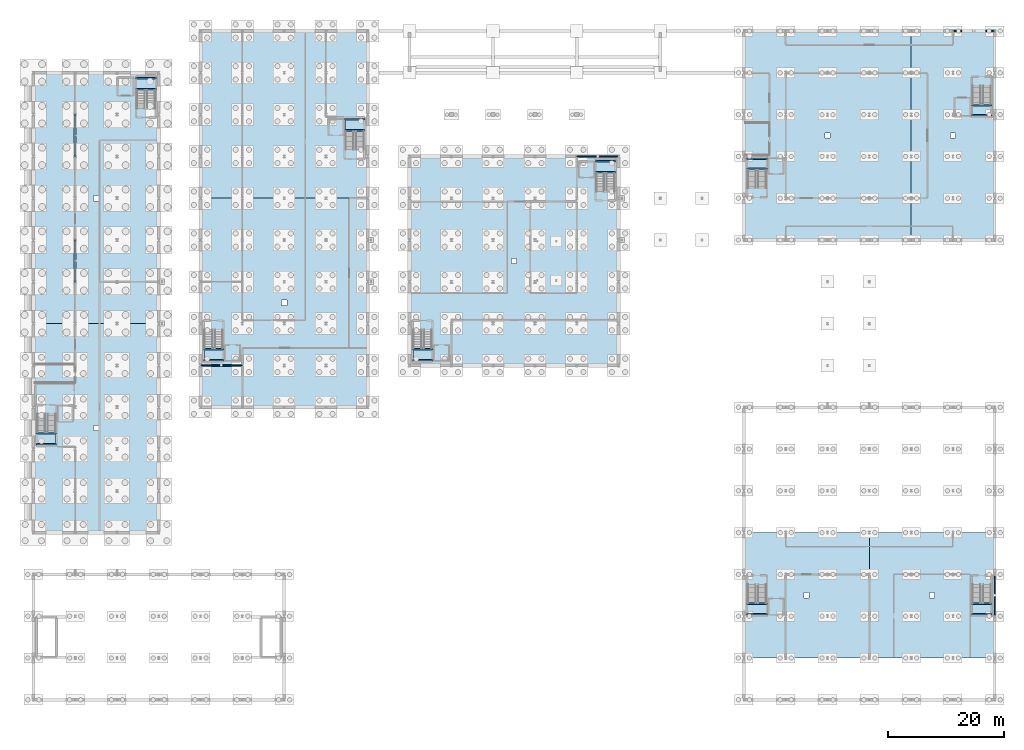
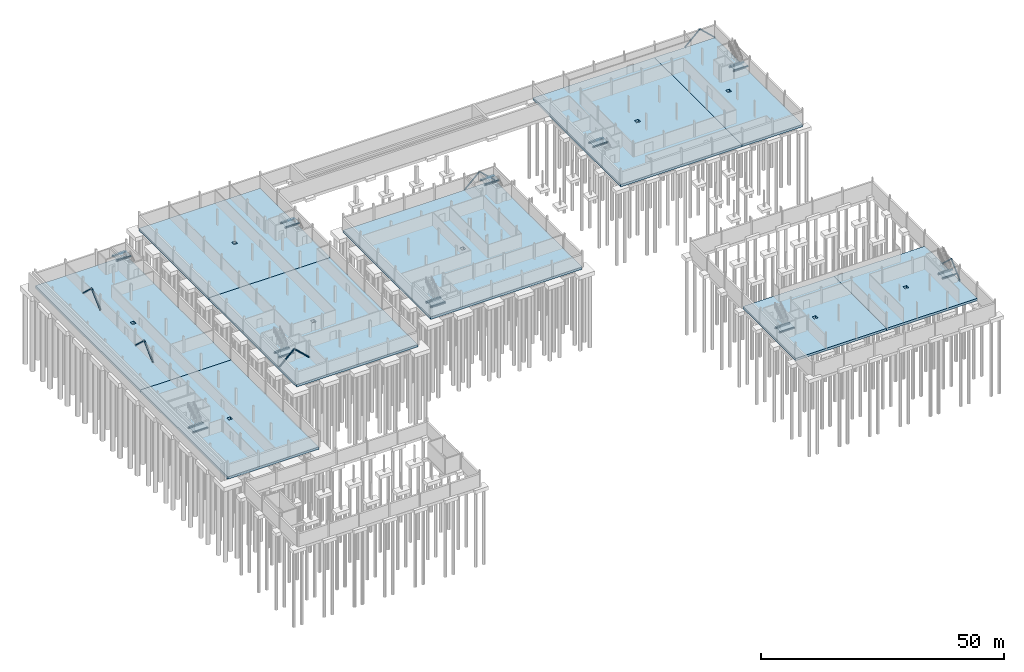
# One storey, part 28 of 50: 20 beams, 19 slabs, 12 members, 10 elements without a shape of their own.
"""IFC4 building model written with IfcOpenShell, lengths in metres."""

from ifc_helpers import new_model, si_unit, direction, frame, origin, origin_2d, place, context, subcontext, project, spatial, polyline, hollow_circle, i_section, outline, extrude, material, layer, layer_set, material_profile, profile_set, type_object, element, aggregate, save


model = new_model("IFC4")

# Units and contexts
model_context = context("Model", 3, precision=1e-05, world=origin(), true_north=direction((0.0, 1.0)))
body_context = subcontext(model_context, "Body", "Model", "MODEL_VIEW")
ifc_project = project(units=[si_unit("LENGTHUNIT", "METRE"), si_unit("AREAUNIT", "SQUARE_METRE"), si_unit("VOLUMEUNIT", "CUBIC_METRE"), si_unit("PLANEANGLEUNIT", "RADIAN"), si_unit("MASSUNIT", "GRAM", prefix="KILO")], contexts=[model_context])

# Site, building, storey
site_placement = place(None, origin())
site = spatial("IfcSite", under=ifc_project, at=site_placement, CompositionType="ELEMENT")
building_placement = place(site_placement, origin())
building = spatial("IfcBuilding", under=site, at=building_placement, Name="Narikvali Park Central Library", CompositionType="ELEMENT")
storey_placement = place(building_placement, frame((0.0, 0.0, -4.199951171875)))
storey = spatial("IfcBuildingStorey", under=building, at=storey_placement, Name="B1", CompositionType="ELEMENT", Elevation=-4.199951171875)

# Members
ifc_material_1 = material(Name="Steel S355", Category="steel")
ifc_material_profile_1 = material_profile(ifc_material_1, hollow_circle(Radius=0.161865234375, WallThickness=0.012451171875, at=origin_2d()), Name="CHS 323.9x12.5")
ifc_profile_set_1 = profile_set([ifc_material_profile_1], Name="Steel S355")
member_type_1 = type_object("IfcMemberType", Name="Basement Chevron Brace CHS323", PredefinedType="BRACE", material=ifc_profile_set_1)
member_1_placement = place(storey_placement, frame((28.81494140625, 57.60009765625, 0.014892578125), z_axis=(0.731156264938, 0.0, 0.682210023557), x_axis=(0.0, 1.0, 0.0)))
element("IfcMember", 1, at=member_1_placement, inside=storey, type_object=member_type_1, Name="V4 B1 Seismic Chevron Brace A", PredefinedType="BRACE", context=body_context, shape_type="SweptSolid", body=[
    extrude(hollow_circle(Radius=0.161865234375, WallThickness=0.012451171875, at=origin_2d()), origin(), (0.0, 0.0, 1.0), 4.903076171875),
])
member_2_placement = place(storey_placement, frame((35.985107421875, 57.60009765625, 0.014892578125), z_axis=(-0.731179437727, 0.0, 0.682185187354), x_axis=(0.0, -1.0, 0.0)))
element("IfcMember", 2, at=member_2_placement, inside=storey, type_object=member_type_1, Name="V4 B1 Seismic Chevron Brace B", PredefinedType="BRACE", context=body_context, shape_type="SweptSolid", body=[
    extrude(hollow_circle(Radius=0.161865234375, WallThickness=0.012451171875, at=origin_2d()), origin(), (0.0, 0.0, 1.0), 4.9033203125),
])
for number, where, z_axis, x_axis, name in (
    (3, (93.614990234375, 93.60009765625, 0.014892578125), (0.731156264938, 0.0, 0.682210023557), (0.0, 1.0, 0.0), "V1 B1 Seismic Chevron Brace A"),
    (4, (100.784912109375, 93.60009765625, 0.014892578125), (-0.731156264938, 0.0, 0.682210023557), (0.0, -1.0, 0.0), "V1 B1 Seismic Chevron Brace B"),
    (5, (158.4150390625, 115.199951171875, 0.014892578125), (0.731156264938, 0.0, 0.682210023557), (0.0, 1.0, 0.0), "V3 B1 Seismic Chevron Brace A"),
    (6, (165.5849609375, 115.199951171875, 0.014892578125), (-0.731156264938, 0.0, 0.682210023557), (0.0, -1.0, 0.0), "V3 B1 Seismic Chevron Brace B"),
    (7, (165.60009765625, 14.4150390625, 0.014892578125), (0.0, 0.731156264938, 0.682210023557), (-1.0, 0.0, 0.0), "V6 B1 Seismic Chevron Brace A"),
    (8, (165.60009765625, 21.5849609375, 0.014892578125), (0.0, -0.731156264938, 0.682210023557), (1.0, 0.0, 0.0), "V6 B1 Seismic Chevron Brace B"),
):
    element("IfcMember", number, at=place(storey_placement, frame(where, z_axis=z_axis, x_axis=x_axis)), inside=storey, type_object=member_type_1, Name=name, PredefinedType="BRACE", context=body_context, shape_type="SweptSolid", body=[
        extrude(hollow_circle(Radius=0.161865234375, WallThickness=0.012451171875, at=origin_2d()), origin(), (0.0, 0.0, 1.0), 4.903076171875),
    ])

# Beams
ifc_material_profile_2 = material_profile(ifc_material_1, i_section(OverallWidth=0.239990234375, OverallDepth=0.239990234375, WebThickness=0.010009765625, FlangeThickness=0.01708984375, FilletRadius=0.02099609375, at=origin_2d()), Name="HEB 240")
ifc_profile_set_2 = profile_set([ifc_material_profile_2], Name="Steel S355")
beam_type_1 = type_object("IfcBeamType", Name="Core Trimmer Girder HEB240", PredefinedType="BEAM", material=ifc_profile_set_2)
for number, where, z_axis, x_axis, name in (
    (9, (53.570068359375, 98.10498046875, 1.780029296875), (1.0, 0.0, 0.0), (0.0, 1.0, 0.0), "ST-08 B1 Landing Trimmer Beam 1-1"),
    (10, (53.570068359375, 99.97998046875, 1.780029296875), (1.0, 0.0, 0.0), (0.0, 1.0, 0.0), "ST-08 B1 Landing Trimmer Beam 1-2"),
):
    element("IfcBeam", number, at=place(storey_placement, frame(where, z_axis=z_axis, x_axis=x_axis)), inside=storey, type_object=beam_type_1, Name=name, PredefinedType="BEAM", context=body_context, shape_type="SweptSolid", body=[
        extrude(i_section(OverallWidth=0.239990234375, OverallDepth=0.239990234375, WebThickness=0.010009765625, FlangeThickness=0.01708984375, FilletRadius=0.02099609375, at=origin_2d()), origin(), (0.0, 0.0, 1.0), 3.559814453125),
    ])
ifc_material_profile_3 = material_profile(ifc_material_1, i_section(OverallWidth=0.260009765625, OverallDepth=0.260009765625, WebThickness=0.010009765625, FlangeThickness=0.017578125, FilletRadius=0.02392578125, at=origin_2d()), Name="HEB 260")
ifc_profile_set_3 = profile_set([ifc_material_profile_3], Name="Steel S355")
beam_type_2 = type_object("IfcBeamType", Name="Core Trimmer Girder HEB260", PredefinedType="BEAM", material=ifc_profile_set_3)
for number, where, z_axis, x_axis, name in (
    (11, (29.27001953125, 58.52001953125, 1.77001953125), (1.0, 0.0, 0.0), (0.0, 1.0, 0.0), "ST-07 B1 Landing Trimmer Beam 1-1"),
    (12, (29.27001953125, 60.39501953125, 1.77001953125), (1.0, 0.0, 0.0), (0.0, 1.0, 0.0), "ST-07 B1 Landing Trimmer Beam 1-2"),
):
    element("IfcBeam", number, at=place(storey_placement, frame(where, z_axis=z_axis, x_axis=x_axis)), inside=storey, type_object=beam_type_2, Name=name, PredefinedType="BEAM", context=body_context, shape_type="SweptSolid", body=[
        extrude(i_section(OverallWidth=0.260009765625, OverallDepth=0.260009765625, WebThickness=0.010009765625, FlangeThickness=0.017578125, FilletRadius=0.02392578125, at=origin_2d()), origin(), (0.0, 0.0, 1.0), 3.56005859375),
    ])
for number, where, z_axis, x_axis, name in (
    (13, (17.6201171875, 105.205078125, 1.77001953125), (1.0, 0.0, 0.0), (0.0, 1.0, 0.0), "ST-10 B1 Landing Trimmer Beam 1-1"),
    (14, (17.6201171875, 107.080078125, 1.77001953125), (1.0, 0.0, 0.0), (0.0, 1.0, 0.0), "ST-10 B1 Landing Trimmer Beam 1-2"),
    (15, (161.570068359375, 14.77001953125, 1.77001953125), (1.0, 0.0, 0.0), (0.0, 1.0, 0.0), "ST-12 B1 Landing Trimmer Beam 1-1"),
    (16, (161.570068359375, 16.544921875, 1.77001953125), (1.0, 0.0, 0.0), (0.0, 1.0, 0.0), "ST-12 B1 Landing Trimmer Beam 1-2"),
):
    element("IfcBeam", number, at=place(storey_placement, frame(where, z_axis=z_axis, x_axis=x_axis)), inside=storey, type_object=beam_type_2, Name=name, PredefinedType="BEAM", context=body_context, shape_type="SweptSolid", body=[
        extrude(i_section(OverallWidth=0.260009765625, OverallDepth=0.260009765625, WebThickness=0.010009765625, FlangeThickness=0.017578125, FilletRadius=0.02392578125, at=origin_2d()), origin(), (0.0, 0.0, 1.0), 3.559814453125),
    ])
ifc_material_profile_4 = material_profile(ifc_material_1, i_section(OverallWidth=0.280029296875, OverallDepth=0.280029296875, WebThickness=0.010498046875, FlangeThickness=0.01806640625, FilletRadius=0.02392578125, at=origin_2d()), Name="HEB 280")
ifc_profile_set_4 = profile_set([ifc_material_profile_4], Name="Steel S355")
beam_type_3 = type_object("IfcBeamType", Name="Core Trimmer Girder HEB280", PredefinedType="BEAM", material=ifc_profile_set_4)
for number, where, z_axis, x_axis, name in (
    (17, (65.27001953125, 58.52001953125, 1.760009765625), (1.0, 0.0, 0.0), (0.0, 1.0, 0.0), "ST-01 B1 Landing Trimmer Beam 1-1"),
    (18, (65.27001953125, 60.39501953125, 1.760009765625), (1.0, 0.0, 0.0), (0.0, 1.0, 0.0), "ST-01 B1 Landing Trimmer Beam 1-2"),
    (19, (96.77001953125, 90.905029296875, 1.760009765625), (1.0, 0.0, 0.0), (0.0, 1.0, 0.0), "ST-02 B1 Landing Trimmer Beam 1-1"),
    (20, (96.77001953125, 92.780029296875, 1.760009765625), (1.0, 0.0, 0.0), (0.0, 1.0, 0.0), "ST-02 B1 Landing Trimmer Beam 1-2"),
):
    element("IfcBeam", number, at=place(storey_placement, frame(where, z_axis=z_axis, x_axis=x_axis)), inside=storey, type_object=beam_type_3, Name=name, PredefinedType="BEAM", context=body_context, shape_type="SweptSolid", body=[
        extrude(i_section(OverallWidth=0.280029296875, OverallDepth=0.280029296875, WebThickness=0.010498046875, FlangeThickness=0.01806640625, FilletRadius=0.02392578125, at=origin_2d()), origin(), (0.0, 0.0, 1.0), 3.56005859375),
    ])
for number, where, z_axis, x_axis, name in (
    (21, (161.570068359375, 100.719970703125, 1.760009765625), (1.0, 0.0, 0.0), (0.0, 1.0, 0.0), "ST-06 B1 Landing Trimmer Beam 1-1"),
    (22, (161.570068359375, 102.39501953125, 1.760009765625), (1.0, 0.0, 0.0), (0.0, 1.0, 0.0), "ST-06 B1 Landing Trimmer Beam 1-2"),
):
    element("IfcBeam", number, at=place(storey_placement, frame(where, z_axis=z_axis, x_axis=x_axis)), inside=storey, type_object=beam_type_3, Name=name, PredefinedType="BEAM", context=body_context, shape_type="SweptSolid", body=[
        extrude(i_section(OverallWidth=0.280029296875, OverallDepth=0.280029296875, WebThickness=0.010498046875, FlangeThickness=0.01806640625, FilletRadius=0.02392578125, at=origin_2d()), origin(), (0.0, 0.0, 1.0), 3.559814453125),
    ])

# Members
ifc_material_profile_5 = material_profile(ifc_material_1, hollow_circle(Radius=0.161865234375, WallThickness=0.01611328125, at=origin_2d()), Name="CHS 323.9x16")
ifc_profile_set_5 = profile_set([ifc_material_profile_5], Name="Steel S355")
member_type_2 = type_object("IfcMemberType", Name="Heavy Archive Basement Brace CHS323x16", PredefinedType="BRACE", material=ifc_profile_set_5)
member_3_placement = place(storey_placement, frame((7.199951171875, 72.014892578125, 0.014892578125), z_axis=(0.0, 0.731179437727, 0.682185187354), x_axis=(-1.0, 0.0, 0.0)))
element("IfcMember", 23, at=member_3_placement, inside=storey, type_object=member_type_2, Name="V5 B1 Seismic Chevron Brace A", PredefinedType="BRACE", context=body_context, shape_type="SweptSolid", body=[
    extrude(hollow_circle(Radius=0.161865234375, WallThickness=0.01611328125, at=origin_2d()), origin(), (0.0, 0.0, 1.0), 4.9033203125),
])
for number, where, z_axis, x_axis, name in (
    (24, (7.199951171875, 79.18505859375, 0.014892578125), (0.0, -0.731156264938, 0.682210023557), (1.0, 0.0, 0.0), "V5 B1 Seismic Chevron Brace B"),
    (25, (7.199951171875, 93.614990234375, 0.014892578125), (0.0, 0.731156264938, 0.682210023557), (-1.0, 0.0, 0.0), "V5 B1 Seismic Chevron Brace A"),
    (26, (7.199951171875, 100.784912109375, 0.014892578125), (0.0, -0.731156264938, 0.682210023557), (1.0, 0.0, 0.0), "V5 B1 Seismic Chevron Brace B"),
):
    element("IfcMember", number, at=place(storey_placement, frame(where, z_axis=z_axis, x_axis=x_axis)), inside=storey, type_object=member_type_2, Name=name, PredefinedType="BRACE", context=body_context, shape_type="SweptSolid", body=[
        extrude(hollow_circle(Radius=0.161865234375, WallThickness=0.01611328125, at=origin_2d()), origin(), (0.0, 0.0, 1.0), 4.903076171875),
    ])

# Beams
ifc_material_profile_6 = material_profile(ifc_material_1, i_section(OverallWidth=0.239990234375, OverallDepth=0.22998046875, WebThickness=0.007568359375, FlangeThickness=0.011962890625, FilletRadius=0.02099609375, at=origin_2d()), Name="HEA 240")
ifc_profile_set_6 = profile_set([ifc_material_profile_6], Name="Steel S355")
beam_type_4 = type_object("IfcBeamType", Name="Primary Girder HEA240", PredefinedType="BEAM", material=ifc_profile_set_6)
for number, where, z_axis, x_axis, name in (
    (27, (122.8701171875, 91.5048828125, 1.784912109375), (1.0, 0.0, 0.0), (0.0, 1.0, 0.0), "ST-05 B1 Landing Trimmer Beam 1-1"),
    (28, (122.8701171875, 93.179931640625, 1.784912109375), (1.0, 0.0, 0.0), (0.0, 1.0, 0.0), "ST-05 B1 Landing Trimmer Beam 1-2"),
):
    element("IfcBeam", number, at=place(storey_placement, frame(where, z_axis=z_axis, x_axis=x_axis)), inside=storey, type_object=beam_type_4, Name=name, PredefinedType="BEAM", context=body_context, shape_type="SweptSolid", body=[
        extrude(i_section(OverallWidth=0.239990234375, OverallDepth=0.22998046875, WebThickness=0.007568359375, FlangeThickness=0.011962890625, FilletRadius=0.02099609375, at=origin_2d()), origin(), (0.0, 0.0, 1.0), 3.559814453125),
    ])
for number, where, z_axis, x_axis, name in (
    (29, (0.469970703125, 44.02001953125, 1.784912109375), (1.0, 0.0, 0.0), (0.0, 1.0, 0.0), "ST-09 B1 Landing Trimmer Beam 1-1"),
    (30, (0.469970703125, 45.89501953125, 1.784912109375), (1.0, 0.0, 0.0), (0.0, 1.0, 0.0), "ST-09 B1 Landing Trimmer Beam 1-2"),
):
    element("IfcBeam", number, at=place(storey_placement, frame(where, z_axis=z_axis, x_axis=x_axis)), inside=storey, type_object=beam_type_4, Name=name, PredefinedType="BEAM", context=body_context, shape_type="SweptSolid", body=[
        extrude(i_section(OverallWidth=0.239990234375, OverallDepth=0.22998046875, WebThickness=0.007568359375, FlangeThickness=0.011962890625, FilletRadius=0.02099609375, at=origin_2d()), origin(), (0.0, 0.0, 1.0), 3.56005859375),
    ])
for number, where, z_axis, x_axis, name in (
    (31, (122.8701171875, 14.77001953125, 1.784912109375), (1.0, 0.0, 0.0), (0.0, 1.0, 0.0), "ST-11 B1 Landing Trimmer Beam 1-1"),
    (32, (122.8701171875, 16.544921875, 1.784912109375), (1.0, 0.0, 0.0), (0.0, 1.0, 0.0), "ST-11 B1 Landing Trimmer Beam 1-2"),
):
    element("IfcBeam", number, at=place(storey_placement, frame(where, z_axis=z_axis, x_axis=x_axis)), inside=storey, type_object=beam_type_4, Name=name, PredefinedType="BEAM", context=body_context, shape_type="SweptSolid", body=[
        extrude(i_section(OverallWidth=0.239990234375, OverallDepth=0.22998046875, WebThickness=0.007568359375, FlangeThickness=0.011962890625, FilletRadius=0.02099609375, at=origin_2d()), origin(), (0.0, 0.0, 1.0), 3.559814453125),
    ])

# Stair, slab
ifc_material_2 = material(Name="Concrete C35/45", Category="concrete")
stair_type = type_object("IfcStairType", Name="Core Enclosed Two-Flight Exit Stair", PredefinedType="HALF_TURN_STAIR", material=ifc_material_2)
stair_1_placement = place(storey_placement, origin())
stair_1 = element("IfcStair", 33, at=stair_1_placement, inside=storey, type_object=stair_type, Name="B1 Exit Stair ST-01", PredefinedType="HALF_TURN_STAIR")
ifc_layer_1 = layer(ifc_material_2, 0.199951171875, Name="Concrete C35/45")
ifc_layer_set_1 = layer_set([ifc_layer_1], Name="Concrete C35/45")
slab_type_1 = type_object("IfcSlabType", Name="Stair Half-Landing Concrete Slab 200", PredefinedType="LANDING", material=ifc_layer_set_1)
slab_1_placement = place(storey_placement, frame((0.0, 0.0, 1.89990234375)))
slab_1 = element("IfcSlab", 34, at=slab_1_placement, type_object=slab_type_1, Name="ST-01 landing 1", PredefinedType="LANDING", context=body_context, shape_type="SweptSolid", body=[
    extrude(outline(polyline([(65.449951171875, 60.614990234375), (65.449951171875, 58.300048828125), (68.64990234375, 58.300048828125), (68.64990234375, 60.614990234375), (65.449951171875, 60.614990234375)])), origin(), (0.0, 0.0, 1.0), 0.199951171875),
])
aggregate(stair_1, [slab_1])

stair_2_placement = place(storey_placement, origin())
stair_2 = element("IfcStair", 35, at=stair_2_placement, inside=storey, type_object=stair_type, Name="B1 Exit Stair ST-02", PredefinedType="HALF_TURN_STAIR")
slab_2_placement = place(storey_placement, frame((0.0, 0.0, 1.89990234375)))
slab_2 = element("IfcSlab", 36, at=slab_2_placement, type_object=slab_type_1, Name="ST-02 landing 1", PredefinedType="LANDING", context=body_context, shape_type="SweptSolid", body=[
    extrude(outline(polyline([(100.14990234375, 90.68505859375), (100.14990234375, 93.0), (96.949951171875, 93.0), (96.949951171875, 90.68505859375), (100.14990234375, 90.68505859375)])), origin(), (0.0, 0.0, 1.0), 0.199951171875),
])
aggregate(stair_2, [slab_2])

stair_3_placement = place(storey_placement, origin())
stair_3 = element("IfcStair", 37, at=stair_3_placement, inside=storey, type_object=stair_type, Name="B1 Exit Stair ST-05", PredefinedType="HALF_TURN_STAIR")
slab_3_placement = place(storey_placement, frame((0.0, 0.0, 1.89990234375)))
slab_3 = element("IfcSlab", 38, at=slab_3_placement, type_object=slab_type_1, Name="ST-05 landing 1", PredefinedType="LANDING", context=body_context, shape_type="SweptSolid", body=[
    extrude(outline(polyline([(126.25, 91.284912109375), (126.25, 93.39990234375), (123.050048828125, 93.39990234375), (123.050048828125, 91.284912109375), (126.25, 91.284912109375)])), origin(), (0.0, 0.0, 1.0), 0.199951171875),
])
aggregate(stair_3, [slab_3])

stair_4_placement = place(storey_placement, origin())
stair_4 = element("IfcStair", 39, at=stair_4_placement, inside=storey, type_object=stair_type, Name="B1 Exit Stair ST-06", PredefinedType="HALF_TURN_STAIR")
slab_4_placement = place(storey_placement, frame((0.0, 0.0, 1.89990234375)))
slab_4 = element("IfcSlab", 40, at=slab_4_placement, type_object=slab_type_1, Name="ST-06 landing 1", PredefinedType="LANDING", context=body_context, shape_type="SweptSolid", body=[
    extrude(outline(polyline([(161.75, 102.614990234375), (161.75, 100.5), (164.949951171875, 100.5), (164.949951171875, 102.614990234375), (161.75, 102.614990234375)])), origin(), (0.0, 0.0, 1.0), 0.199951171875),
])
aggregate(stair_4, [slab_4])

stair_5_placement = place(storey_placement, origin())
stair_5 = element("IfcStair", 41, at=stair_5_placement, inside=storey, type_object=stair_type, Name="B1 Exit Stair ST-07", PredefinedType="HALF_TURN_STAIR")
slab_5_placement = place(storey_placement, frame((0.0, 0.0, 1.89990234375)))
slab_5 = element("IfcSlab", 42, at=slab_5_placement, type_object=slab_type_1, Name="ST-07 landing 1", PredefinedType="LANDING", context=body_context, shape_type="SweptSolid", body=[
    extrude(outline(polyline([(29.449951171875, 60.614990234375), (29.449951171875, 58.300048828125), (32.64990234375, 58.300048828125), (32.64990234375, 60.614990234375), (29.449951171875, 60.614990234375)])), origin(), (0.0, 0.0, 1.0), 0.199951171875),
])
aggregate(stair_5, [slab_5])

stair_6_placement = place(storey_placement, origin())
stair_6 = element("IfcStair", 43, at=stair_6_placement, inside=storey, type_object=stair_type, Name="B1 Exit Stair ST-08", PredefinedType="HALF_TURN_STAIR")
slab_6_placement = place(storey_placement, frame((0.0, 0.0, 1.89990234375)))
slab_6 = element("IfcSlab", 44, at=slab_6_placement, type_object=slab_type_1, Name="ST-08 landing 1", PredefinedType="LANDING", context=body_context, shape_type="SweptSolid", body=[
    extrude(outline(polyline([(56.949951171875, 97.885009765625), (56.949951171875, 100.199951171875), (53.75, 100.199951171875), (53.75, 97.885009765625), (56.949951171875, 97.885009765625)])), origin(), (0.0, 0.0, 1.0), 0.199951171875),
])
aggregate(stair_6, [slab_6])

stair_7_placement = place(storey_placement, origin())
stair_7 = element("IfcStair", 45, at=stair_7_placement, inside=storey, type_object=stair_type, Name="B1 Exit Stair ST-09", PredefinedType="HALF_TURN_STAIR")
slab_7_placement = place(storey_placement, frame((0.0, 0.0, 1.89990234375)))
slab_7 = element("IfcSlab", 46, at=slab_7_placement, type_object=slab_type_1, Name="ST-09 landing 1", PredefinedType="LANDING", context=body_context, shape_type="SweptSolid", body=[
    extrude(outline(polyline([(0.64990234375, 46.114990234375), (0.64990234375, 43.800048828125), (3.85009765625, 43.800048828125), (3.85009765625, 46.114990234375), (0.64990234375, 46.114990234375)])), origin(), (0.0, 0.0, 1.0), 0.199951171875),
])
aggregate(stair_7, [slab_7])

stair_8_placement = place(storey_placement, origin())
stair_8 = element("IfcStair", 47, at=stair_8_placement, inside=storey, type_object=stair_type, Name="B1 Exit Stair ST-10", PredefinedType="HALF_TURN_STAIR")
slab_8_placement = place(storey_placement, frame((0.0, 0.0, 1.89990234375)))
slab_8 = element("IfcSlab", 48, at=slab_8_placement, type_object=slab_type_1, Name="ST-10 landing 1", PredefinedType="LANDING", context=body_context, shape_type="SweptSolid", body=[
    extrude(outline(polyline([(21.0, 104.985107421875), (21.0, 107.300048828125), (17.800048828125, 107.300048828125), (17.800048828125, 104.985107421875), (21.0, 104.985107421875)])), origin(), (0.0, 0.0, 1.0), 0.199951171875),
])
aggregate(stair_8, [slab_8])

stair_9_placement = place(storey_placement, origin())
stair_9 = element("IfcStair", 49, at=stair_9_placement, inside=storey, type_object=stair_type, Name="B1 Exit Stair ST-11", PredefinedType="HALF_TURN_STAIR")
slab_9_placement = place(storey_placement, frame((0.0, 0.0, 1.89990234375)))
slab_9 = element("IfcSlab", 50, at=slab_9_placement, type_object=slab_type_1, Name="ST-11 landing 1", PredefinedType="LANDING", context=body_context, shape_type="SweptSolid", body=[
    extrude(outline(polyline([(123.050048828125, 16.764892578125), (123.050048828125, 14.550048828125), (126.25, 14.550048828125), (126.25, 16.764892578125), (123.050048828125, 16.764892578125)])), origin(), (0.0, 0.0, 1.0), 0.199951171875),
])
aggregate(stair_9, [slab_9])

stair_10_placement = place(storey_placement, origin())
stair_10 = element("IfcStair", 51, at=stair_10_placement, inside=storey, type_object=stair_type, Name="B1 Exit Stair ST-12", PredefinedType="HALF_TURN_STAIR")
slab_10_placement = place(storey_placement, frame((0.0, 0.0, 1.89990234375)))
slab_10 = element("IfcSlab", 52, at=slab_10_placement, type_object=slab_type_1, Name="ST-12 landing 1", PredefinedType="LANDING", context=body_context, shape_type="SweptSolid", body=[
    extrude(outline(polyline([(161.75, 16.764892578125), (161.75, 14.550048828125), (164.949951171875, 14.550048828125), (164.949951171875, 16.764892578125), (161.75, 16.764892578125)])), origin(), (0.0, 0.0, 1.0), 0.199951171875),
])
aggregate(stair_10, [slab_10])

# Slabs
ifc_layer_2 = layer(ifc_material_2, 0.60009765625, Name="Concrete C35/45")
ifc_layer_set_2 = layer_set([ifc_layer_2], Name="Concrete C35/45")
slab_type_2 = type_object("IfcSlabType", Name="Waterproofed Foundation Base Slab 600", PredefinedType="BASESLAB", material=ifc_layer_set_2)
slab_11_placement = place(storey_placement, frame((0.0, 0.0, -0.60009765625)))
element("IfcSlab", 53, at=slab_11_placement, inside=storey, type_object=slab_type_2, Name="V1 B1 Foundation Base Slab Panel 1", PredefinedType="BASESLAB", context=body_context, shape_type="SweptSolid", body=[
    extrude(outline(polyline([(64.800048828125, 57.60009765625), (100.800048828125, 57.60009765625), (100.800048828125, 93.60009765625), (64.800048828125, 93.60009765625), (64.800048828125, 57.60009765625)]), holes=[polyline([(82.35009765625, 75.14990234375), (83.25, 75.14990234375), (83.25, 76.050048828125), (82.35009765625, 76.050048828125), (82.35009765625, 75.14990234375)])]), origin(), (0.0, 0.0, 1.0), 0.60009765625),
])
slab_12_placement = place(storey_placement, frame((0.0, 0.0, -0.60009765625)))
element("IfcSlab", 54, at=slab_12_placement, inside=storey, type_object=slab_type_2, Name="V3 B1 Foundation Base Slab Panel 1", PredefinedType="BASESLAB", context=body_context, shape_type="SweptSolid", body=[
    extrude(outline(polyline([(122.39990234375, 79.199951171875), (151.199951171875, 79.199951171875), (151.199951171875, 115.199951171875), (122.39990234375, 115.199951171875), (122.39990234375, 79.199951171875)]), holes=[polyline([(136.35009765625, 96.75), (137.25, 96.75), (137.25, 97.64990234375), (136.35009765625, 97.64990234375), (136.35009765625, 96.75)])]), origin(), (0.0, 0.0, 1.0), 0.60009765625),
])
slab_13_placement = place(storey_placement, frame((0.0, 0.0, -0.60009765625)))
element("IfcSlab", 55, at=slab_13_placement, inside=storey, type_object=slab_type_2, Name="V3 B1 Foundation Base Slab Panel 2", PredefinedType="BASESLAB", context=body_context, shape_type="SweptSolid", body=[
    extrude(outline(polyline([(151.199951171875, 79.199951171875), (165.60009765625, 79.199951171875), (165.60009765625, 115.199951171875), (151.199951171875, 115.199951171875), (151.199951171875, 79.199951171875)]), holes=[polyline([(157.949951171875, 96.75), (158.85009765625, 96.75), (158.85009765625, 97.64990234375), (157.949951171875, 97.64990234375), (157.949951171875, 96.75)])]), origin(), (0.0, 0.0, 1.0), 0.60009765625),
])
slab_14_placement = place(storey_placement, frame((0.0, 0.0, -0.60009765625)))
element("IfcSlab", 56, at=slab_14_placement, inside=storey, type_object=slab_type_2, Name="V4 B1 Foundation Base Slab Panel 1", PredefinedType="BASESLAB", context=body_context, shape_type="SweptSolid", body=[
    extrude(outline(polyline([(28.800048828125, 50.39990234375), (57.60009765625, 50.39990234375), (57.60009765625, 86.39990234375), (28.800048828125, 86.39990234375), (28.800048828125, 50.39990234375)]), holes=[polyline([(42.75, 67.949951171875), (43.64990234375, 67.949951171875), (43.64990234375, 68.85009765625), (42.75, 68.85009765625), (42.75, 67.949951171875)])]), origin(), (0.0, 0.0, 1.0), 0.60009765625),
])
slab_15_placement = place(storey_placement, frame((0.0, 0.0, -0.60009765625)))
element("IfcSlab", 57, at=slab_15_placement, inside=storey, type_object=slab_type_2, Name="V4 B1 Foundation Base Slab Panel 2", PredefinedType="BASESLAB", context=body_context, shape_type="SweptSolid", body=[
    extrude(outline(polyline([(28.800048828125, 86.39990234375), (57.60009765625, 86.39990234375), (57.60009765625, 115.199951171875), (28.800048828125, 115.199951171875), (28.800048828125, 86.39990234375)]), holes=[polyline([(42.75, 100.35009765625), (43.64990234375, 100.35009765625), (43.64990234375, 101.25), (42.75, 101.25), (42.75, 100.35009765625)])]), origin(), (0.0, 0.0, 1.0), 0.60009765625),
])
slab_16_placement = place(storey_placement, frame((0.0, 0.0, -0.60009765625)))
element("IfcSlab", 58, at=slab_16_placement, inside=storey, type_object=slab_type_2, Name="V5 B1 Foundation Base Slab Panel 1", PredefinedType="BASESLAB", context=body_context, shape_type="SweptSolid", body=[
    extrude(outline(polyline([(0.0, 28.800048828125), (21.60009765625, 28.800048828125), (21.60009765625, 64.800048828125), (0.0, 64.800048828125), (0.0, 28.800048828125)]), holes=[polyline([(10.35009765625, 46.35009765625), (11.25, 46.35009765625), (11.25, 47.25), (10.35009765625, 47.25), (10.35009765625, 46.35009765625)])]), origin(), (0.0, 0.0, 1.0), 0.60009765625),
])
slab_17_placement = place(storey_placement, frame((0.0, 0.0, -0.60009765625)))
element("IfcSlab", 59, at=slab_17_placement, inside=storey, type_object=slab_type_2, Name="V5 B1 Foundation Base Slab Panel 2", PredefinedType="BASESLAB", context=body_context, shape_type="SweptSolid", body=[
    extrude(outline(polyline([(0.0, 64.800048828125), (21.60009765625, 64.800048828125), (21.60009765625, 108.0), (0.0, 108.0), (0.0, 64.800048828125)]), holes=[polyline([(10.35009765625, 85.949951171875), (11.25, 85.949951171875), (11.25, 86.85009765625), (10.35009765625, 86.85009765625), (10.35009765625, 85.949951171875)])]), origin(), (0.0, 0.0, 1.0), 0.60009765625),
])
slab_18_placement = place(storey_placement, frame((0.0, 0.0, -0.60009765625)))
element("IfcSlab", 60, at=slab_18_placement, inside=storey, type_object=slab_type_2, Name="V6 B1 Foundation Base Slab Panel 1", PredefinedType="BASESLAB", context=body_context, shape_type="SweptSolid", body=[
    extrude(outline(polyline([(122.39990234375, 7.199951171875), (144.0, 7.199951171875), (144.0, 28.800048828125), (122.39990234375, 28.800048828125), (122.39990234375, 7.199951171875)]), holes=[polyline([(132.75, 17.550048828125), (133.64990234375, 17.550048828125), (133.64990234375, 18.449951171875), (132.75, 18.449951171875), (132.75, 17.550048828125)])]), origin(), (0.0, 0.0, 1.0), 0.60009765625),
])
slab_19_placement = place(storey_placement, frame((0.0, 0.0, -0.60009765625)))
element("IfcSlab", 61, at=slab_19_placement, inside=storey, type_object=slab_type_2, Name="V6 B1 Foundation Base Slab Panel 2", PredefinedType="BASESLAB", context=body_context, shape_type="SweptSolid", body=[
    extrude(outline(polyline([(144.0, 7.199951171875), (165.60009765625, 7.199951171875), (165.60009765625, 28.800048828125), (144.0, 28.800048828125), (144.0, 7.199951171875)]), holes=[polyline([(154.35009765625, 17.550048828125), (155.25, 17.550048828125), (155.25, 18.449951171875), (154.35009765625, 18.449951171875), (154.35009765625, 17.550048828125)])]), origin(), (0.0, 0.0, 1.0), 0.60009765625),
])

save(model, "model.ifc")
